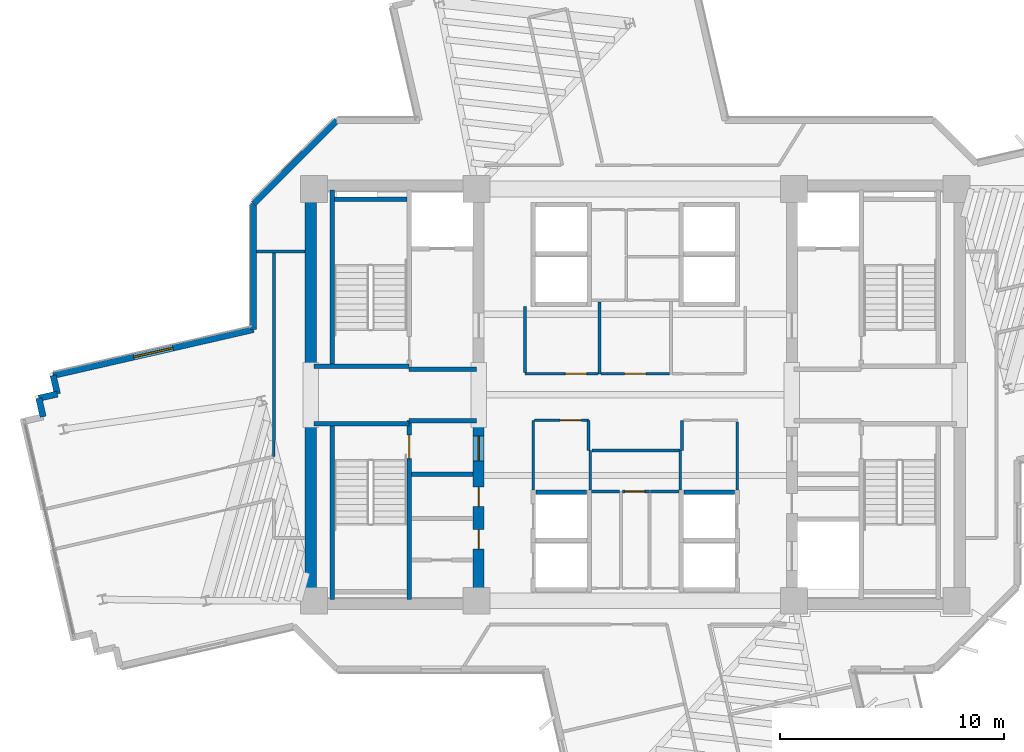
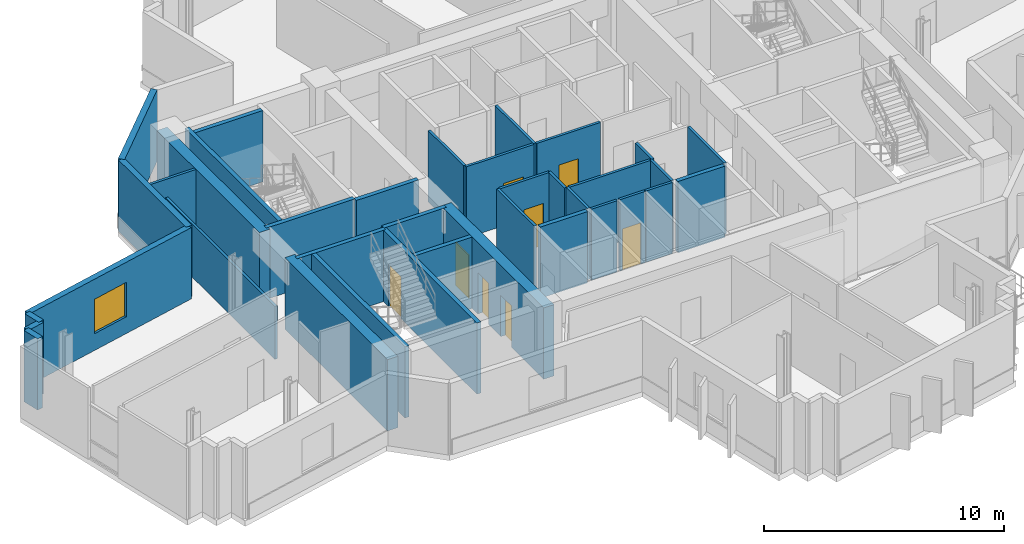
# One storey, part 7 of 13: 37 walls, 8 doors, 1 window, 9 openings.
"""IFC4 building model written with IfcOpenShell, lengths in metres."""

from ifc_helpers import new_model, si_unit, direction, frame, frame_2d, origin, place, context, subcontext, project, spatial, rectangle, extrude, source, transform, mapped, material, layer, layer_set, type_object, element, fill, save


model = new_model("IFC4")

# Units and contexts
model_context = context("Model", 3, precision=1e-05, world=origin(), true_north=direction((0.0, 1.0)))
body_context = subcontext(model_context, "Body", "Model", "MODEL_VIEW")
ifc_project = project(units=[si_unit("LENGTHUNIT", "METRE"), si_unit("AREAUNIT", "SQUARE_METRE"), si_unit("VOLUMEUNIT", "CUBIC_METRE"), si_unit("PLANEANGLEUNIT", "RADIAN"), si_unit("MASSUNIT", "GRAM", prefix="KILO")], contexts=[model_context])

# Site, building, storey
site_placement = place(None, origin())
site = spatial("IfcSite", under=ifc_project, at=site_placement, CompositionType="ELEMENT")
building_placement = place(site_placement, origin())
building = spatial("IfcBuilding", under=site, at=building_placement, Name="Zahravan Cultural Tower", CompositionType="ELEMENT")
storey_placement = place(building_placement, frame((0.0, 0.0, 178.5)))
storey = spatial("IfcBuildingStorey", under=building, at=storey_placement, Name="L41", CompositionType="ELEMENT", Elevation=178.5)

# Wall, openings, doors
ifc_material_1 = material(Name="Concrete C60/75", Category="concrete")
ifc_layer_1 = layer(ifc_material_1, 0.5)
ifc_layer_set_1 = layer_set([ifc_layer_1], Name="Concrete C60/75")
wall_type_1 = type_object("IfcWallType", Name="CW-SHEAR-500-C60", PredefinedType="SHEAR", material=ifc_layer_set_1)
wall_1_placement = place(storey_placement, frame((29.0, 17.39990234375, 0.0), z_axis=(0.0, 0.0, 1.0), x_axis=(0.0, 1.0, 0.0)))
wall_1 = element("IfcWall", 1, at=wall_1_placement, inside=storey, type_object=wall_type_1, Name="L41 Core Shear Wall CW-W-ES-L41", PredefinedType="SHEAR", context=body_context, shape_type="SweptSolid", body=[
    extrude(rectangle(XDim=8.550048828125, YDim=0.5, at=frame_2d((4.27490234375, 0.0))), origin(), (0.0, 0.0, 1.0), 3.6201171875),
])
opening_1_placement = place(wall_1_placement, frame((6.64990234375, 0.0, 0.0)))
opening_1 = element("IfcOpeningElement", 2, at=opening_1_placement, cuts=wall_1, Name="Opening D-L41-07", PredefinedType="OPENING", context=body_context, shape_type="SweptSolid", body=[
    extrude(rectangle(XDim=1.10009765625, YDim=2.199951171875, at=frame_2d((0.550048828125, 1.10009765625))), frame((0.0, 0.260009765625, 0.0), z_axis=(0.0, -1.0, 0.0), x_axis=(1.0, 0.0, 0.0)), (0.0, 0.0, 1.0), 0.52001953125),
])
opening_2_placement = place(wall_1_placement, frame((2.699951171875, 0.0, 0.0)))
opening_2 = element("IfcOpeningElement", 3, at=opening_2_placement, cuts=wall_1, Name="Opening D-L41-10", PredefinedType="OPENING", context=body_context, shape_type="SweptSolid", body=[
    extrude(rectangle(XDim=0.8798828125, YDim=2.10009765625, at=frame_2d((0.43994140625, 1.050048828125))), frame((0.0, 0.260009765625, 0.0), z_axis=(0.0, -1.0, 0.0), x_axis=(1.0, 0.0, 0.0)), (0.0, 0.0, 1.0), 0.52001953125),
])
opening_3_placement = place(wall_1_placement, frame((4.60009765625, 0.0, 0.0)))
opening_3 = element("IfcOpeningElement", 4, at=opening_3_placement, cuts=wall_1, Name="Opening D-L41-11", PredefinedType="OPENING", context=body_context, shape_type="SweptSolid", body=[
    extrude(rectangle(XDim=0.8798828125, YDim=2.10009765625, at=frame_2d((0.43994140625, 1.050048828125))), frame((0.0, 0.260009765625, 0.0), z_axis=(0.0, -1.0, 0.0), x_axis=(1.0, 0.0, 0.0)), (0.0, 0.0, 1.0), 0.52001953125),
])
ifc_material_2 = material(Name="Steel ASTM A572 Grade 50", Category="steel")
door_type_1 = type_object("IfcDoorType", Name="DR-LOBBY-1100", OperationType="NOTDEFINED", PredefinedType="DOOR", material=ifc_material_2)
shared_shape_1 = source(origin(), body_context, "Body", "SweptSolid", [
    extrude(rectangle(XDim=1.10009765625, YDim=2.199951171875, at=frame_2d((0.550048828125, 1.10009765625))), frame((0.0, 0.02490234375, 0.0), z_axis=(0.0, -1.0, 0.0), x_axis=(1.0, 0.0, 0.0)), (0.0, 0.0, 1.0), 0.050048828125),
])
door_1_placement = place(opening_1_placement, origin())
door_1 = element("IfcDoor", 5, at=door_1_placement, inside=storey, type_object=door_type_1, Name="L41 Door D-L41-07", OperationType="SINGLE_SWING_LEFT", OverallHeight=2.199951171875, OverallWidth=1.10009765625, PredefinedType="DOOR", context=body_context, shape_type="MappedRepresentation", body=[
    mapped(shared_shape_1, transform((0.0, 0.0, 0.0), x_axis=(1.0, 0.0, 0.0), y_axis=(0.0, 1.0, 0.0), z_axis=(0.0, 0.0, 1.0), scale=1.0)),
])
fill(opening_1, door_1)
door_type_2 = type_object("IfcDoorType", Name="DR-SVC-880", OperationType="NOTDEFINED", PredefinedType="DOOR", material=ifc_material_2)
shared_shape_2 = source(origin(), body_context, "Body", "SweptSolid", [
    extrude(rectangle(XDim=0.8798828125, YDim=2.10009765625, at=frame_2d((0.43994140625, 1.050048828125))), frame((0.0, 0.02490234375, 0.0), z_axis=(0.0, -1.0, 0.0), x_axis=(1.0, 0.0, 0.0)), (0.0, 0.0, 1.0), 0.050048828125),
])
door_2_placement = place(opening_2_placement, origin())
door_2 = element("IfcDoor", 6, at=door_2_placement, inside=storey, type_object=door_type_2, Name="L41 Door D-L41-10", OperationType="SINGLE_SWING_RIGHT", OverallHeight=2.10009765625, OverallWidth=0.8798828125, PredefinedType="DOOR", context=body_context, shape_type="MappedRepresentation", body=[
    mapped(shared_shape_2, transform((0.0, 0.0, 0.0), x_axis=(1.0, 0.0, 0.0), y_axis=(0.0, 1.0, 0.0), z_axis=(0.0, 0.0, 1.0), scale=1.0)),
])
fill(opening_2, door_2)
door_3_placement = place(opening_3_placement, origin())
door_3 = element("IfcDoor", 7, at=door_3_placement, inside=storey, type_object=door_type_2, Name="L41 Door D-L41-11", OperationType="SINGLE_SWING_LEFT", OverallHeight=2.10009765625, OverallWidth=0.8798828125, PredefinedType="DOOR", context=body_context, shape_type="MappedRepresentation", body=[
    mapped(shared_shape_2, transform((0.0, 0.0, 0.0), x_axis=(1.0, 0.0, 0.0), y_axis=(0.0, 1.0, 0.0), z_axis=(0.0, 0.0, 1.0), scale=1.0)),
])
fill(opening_3, door_3)

# Wall, opening, window
ifc_material_3 = material(Name="Precast concrete C40/50", Category="concrete")
ifc_layer_2 = layer(ifc_material_3, 0.280029296875)
ifc_layer_set_2 = layer_set([ifc_layer_2], Name="Precast concrete C40/50")
wall_type_2 = type_object("IfcWallType", Name="EW-TC-280", PredefinedType="SOLIDWALL", material=ifc_layer_set_2)
wall_2_placement = place(storey_placement, frame((9.98779296875, 27.86572265625, 0.0), z_axis=(0.0, 0.0, 1.0), x_axis=(0.974680686557, 0.223601340005, 0.0)))
wall_2 = element("IfcWall", 8, at=wall_2_placement, inside=storey, type_object=wall_type_2, Name="L41 Exterior Masonry Frame Wall 36", PredefinedType="SOLIDWALL", context=body_context, shape_type="SweptSolid", body=[
    extrude(rectangle(XDim=9.184814453125, YDim=0.280029296875, at=frame_2d((4.59228515625, 0.0))), origin(), (0.0, 0.0, 1.0), 3.6201171875),
])
opening_4_placement = place(wall_2_placement, frame((3.69189453125, 0.0, 0.85009765625)))
opening_4 = element("IfcOpeningElement", 9, at=opening_4_placement, cuts=wall_2, Name="Opening WN-02", PredefinedType="OPENING", context=body_context, shape_type="SweptSolid", body=[
    extrude(rectangle(XDim=1.800048828125, YDim=1.75, at=frame_2d((0.89990234375, 0.875))), frame((0.0, 0.14990234375, 0.0), z_axis=(0.0, -1.0, 0.0), x_axis=(1.0, 0.0, 0.0)), (0.0, 0.0, 1.0), 0.300048828125),
])
ifc_material_4 = material(Name="Low-E solar-control double glazing", Category="glass")
window_type = type_object("IfcWindowType", Name="WN-REC-1800X1750", PartitioningType="DOUBLE_PANEL_VERTICAL", PredefinedType="WINDOW", material=ifc_material_4)
shared_shape_3 = source(origin(), body_context, "Body", "SweptSolid", [
    extrude(rectangle(XDim=1.800048828125, YDim=1.75, at=frame_2d((0.89990234375, 0.875))), frame((0.0, 0.030029296875, 0.0), z_axis=(0.0, -1.0, 0.0), x_axis=(1.0, 0.0, 0.0)), (0.0, 0.0, 1.0), 0.06005859375),
])
window_placement = place(opening_4_placement, origin())
window = element("IfcWindow", 10, at=window_placement, inside=storey, type_object=window_type, Name="L41 Recessed Solar Window 08", OverallHeight=1.75, OverallWidth=1.800048828125, PartitioningType="DOUBLE_PANEL_VERTICAL", PredefinedType="WINDOW", context=body_context, shape_type="MappedRepresentation", body=[
    mapped(shared_shape_3, transform((0.0, 0.0, 0.0), x_axis=(1.0, 0.0, 0.0), y_axis=(0.0, 1.0, 0.0), z_axis=(0.0, 0.0, 1.0), scale=1.0)),
])
fill(opening_4, window)

# Wall, opening, door
ifc_material_5 = material(Name="Gypsum plasterboard partition")
ifc_layer_3 = layer(ifc_material_5, 0.125)
ifc_layer_set_3 = layer_set([ifc_layer_3], Name="Gypsum plasterboard partition")
wall_type_3 = type_object("IfcWallType", Name="W-PART-125", PredefinedType="PARTITIONING", material=ifc_layer_set_3)
wall_3_placement = place(storey_placement, frame((35.427490234375, 22.679931640625, 0.0), z_axis=(0.0, 0.0, 1.0), x_axis=(1.0, 0.0, 0.0)))
wall_3 = element("IfcWall", 11, at=wall_3_placement, inside=storey, type_object=wall_type_3, Name="L41 Interior Wall 063", PredefinedType="PARTITIONING", context=body_context, shape_type="SweptSolid", body=[
    extrude(rectangle(XDim=1.21240234375, YDim=0.125, at=frame_2d((0.606201171875, 0.0))), origin(), (0.0, 0.0, 1.0), 3.6201171875),
])
opening_5_placement = place(wall_3_placement, frame((0.116455078125, 0.0, 0.0)))
opening_5 = element("IfcOpeningElement", 12, at=opening_5_placement, cuts=wall_3, Name="Opening D-L41-32", PredefinedType="OPENING", context=body_context, shape_type="SweptSolid", body=[
    extrude(rectangle(XDim=0.8798828125, YDim=2.10009765625, at=frame_2d((0.43994140625, 1.050048828125))), frame((0.0, 0.072509765625, 0.0), z_axis=(0.0, -1.0, 0.0), x_axis=(1.0, 0.0, 0.0)), (0.0, 0.0, 1.0), 0.14501953125),
])
ifc_material_6 = material(Name="Anodised bronze-aluminium mullion", Category="aluminium")
door_type_3 = type_object("IfcDoorType", Name="DR-ROOM-880", OperationType="NOTDEFINED", PredefinedType="DOOR", material=ifc_material_6)
door_4_placement = place(opening_5_placement, origin())
door_4 = element("IfcDoor", 13, at=door_4_placement, inside=storey, type_object=door_type_3, Name="L41 Door D-L41-32", OperationType="SINGLE_SWING_RIGHT", OverallHeight=2.10009765625, OverallWidth=0.8798828125, PredefinedType="DOOR", context=body_context, shape_type="MappedRepresentation", body=[
    mapped(shared_shape_2, transform((0.0, 0.0, 0.0), x_axis=(1.0, 0.0, 0.0), y_axis=(0.0, 1.0, 0.0), z_axis=(0.0, 0.0, 1.0), scale=1.0)),
])
fill(opening_5, door_4)

wall_4_placement = place(storey_placement, frame((31.507568359375, 25.860107421875, 0.0), z_axis=(0.0, 0.0, 1.0), x_axis=(1.0, 0.0, 0.0)))
wall_4 = element("IfcWall", 14, at=wall_4_placement, inside=storey, type_object=wall_type_3, Name="L41 Interior Wall 076", PredefinedType="PARTITIONING", context=body_context, shape_type="SweptSolid", body=[
    extrude(rectangle(XDim=2.40234375, YDim=0.125, at=frame_2d((1.201171875, 0.0))), origin(), (0.0, 0.0, 1.0), 3.6201171875),
])
opening_6_placement = place(wall_4_placement, frame((1.1328125, 0.0, 0.0)))
opening_6 = element("IfcOpeningElement", 15, at=opening_6_placement, cuts=wall_4, Name="Opening D-L41-13", PredefinedType="OPENING", context=body_context, shape_type="SweptSolid", body=[
    extrude(rectangle(XDim=0.949951171875, YDim=2.14990234375, at=frame_2d((0.47509765625, 1.074951171875))), frame((0.0, 0.072509765625, 0.0), z_axis=(0.0, -1.0, 0.0), x_axis=(1.0, 0.0, 0.0)), (0.0, 0.0, 1.0), 0.14501953125),
])
door_type_4 = type_object("IfcDoorType", Name="DR-ROOM-950", OperationType="NOTDEFINED", PredefinedType="DOOR", material=ifc_material_6)
shared_shape_4 = source(origin(), body_context, "Body", "SweptSolid", [
    extrude(rectangle(XDim=0.949951171875, YDim=2.14990234375, at=frame_2d((0.47509765625, 1.074951171875))), frame((0.0, 0.02490234375, 0.0), z_axis=(0.0, -1.0, 0.0), x_axis=(1.0, 0.0, 0.0)), (0.0, 0.0, 1.0), 0.050048828125),
])
door_5_placement = place(opening_6_placement, origin())
door_5 = element("IfcDoor", 16, at=door_5_placement, inside=storey, type_object=door_type_4, Name="L41 Door D-L41-13", OperationType="SINGLE_SWING_LEFT", OverallHeight=2.14990234375, OverallWidth=0.949951171875, PredefinedType="DOOR", context=body_context, shape_type="MappedRepresentation", body=[
    mapped(shared_shape_4, transform((0.0, 0.0, 0.0), x_axis=(1.0, 0.0, 0.0), y_axis=(0.0, 1.0, 0.0), z_axis=(0.0, 0.0, 1.0), scale=1.0)),
])
fill(opening_6, door_5)

wall_5_placement = place(storey_placement, frame((37.532470703125, 27.93994140625, 0.0), z_axis=(0.0, 0.0, 1.0), x_axis=(-1.0, 0.0, 0.0)))
wall_5 = element("IfcWall", 17, at=wall_5_placement, inside=storey, type_object=wall_type_3, Name="L41 Interior Wall 083", PredefinedType="PARTITIONING", context=body_context, shape_type="SweptSolid", body=[
    extrude(rectangle(XDim=3.06494140625, YDim=0.125, at=frame_2d((1.532470703125, 0.0))), origin(), (0.0, 0.0, 1.0), 3.6201171875),
])
opening_7_placement = place(wall_5_placement, frame((1.0576171875, 0.0, 0.0)))
opening_7 = element("IfcOpeningElement", 18, at=opening_7_placement, cuts=wall_5, Name="Opening D-L41-18", PredefinedType="OPENING", context=body_context, shape_type="SweptSolid", body=[
    extrude(rectangle(XDim=0.949951171875, YDim=2.14990234375, at=frame_2d((0.47509765625, 1.074951171875))), frame((0.0, 0.072509765625, 0.0), z_axis=(0.0, -1.0, 0.0), x_axis=(1.0, 0.0, 0.0)), (0.0, 0.0, 1.0), 0.14501953125),
])
door_6_placement = place(opening_7_placement, origin())
door_6 = element("IfcDoor", 19, at=door_6_placement, inside=storey, type_object=door_type_4, Name="L41 Door D-L41-18", OperationType="SINGLE_SWING_RIGHT", OverallHeight=2.14990234375, OverallWidth=0.949951171875, PredefinedType="DOOR", context=body_context, shape_type="MappedRepresentation", body=[
    mapped(shared_shape_4, transform((0.0, 0.0, 0.0), x_axis=(1.0, 0.0, 0.0), y_axis=(0.0, 1.0, 0.0), z_axis=(0.0, 0.0, 1.0), scale=1.0)),
])
fill(opening_7, door_6)

wall_6_placement = place(storey_placement, frame((34.33251953125, 27.93994140625, 0.0), z_axis=(0.0, 0.0, 1.0), x_axis=(-1.0, 0.0, 0.0)))
wall_6 = element("IfcWall", 20, at=wall_6_placement, inside=storey, type_object=wall_type_3, Name="L41 Interior Wall 084", PredefinedType="PARTITIONING", context=body_context, shape_type="SweptSolid", body=[
    extrude(rectangle(XDim=3.25244140625, YDim=0.125, at=frame_2d((1.626220703125, 0.0))), origin(), (0.0, 0.0, 1.0), 3.6201171875),
])
opening_8_placement = place(wall_6_placement, frame((0.506591796875, 0.0, 0.0)))
opening_8 = element("IfcOpeningElement", 21, at=opening_8_placement, cuts=wall_6, Name="Opening D-L41-17", PredefinedType="OPENING", context=body_context, shape_type="SweptSolid", body=[
    extrude(rectangle(XDim=0.949951171875, YDim=2.14990234375, at=frame_2d((0.47509765625, 1.074951171875))), frame((0.0, 0.072509765625, 0.0), z_axis=(0.0, -1.0, 0.0), x_axis=(1.0, 0.0, 0.0)), (0.0, 0.0, 1.0), 0.14501953125),
])
door_7_placement = place(opening_8_placement, origin())
door_7 = element("IfcDoor", 22, at=door_7_placement, inside=storey, type_object=door_type_4, Name="L41 Door D-L41-17", OperationType="SINGLE_SWING_LEFT", OverallHeight=2.14990234375, OverallWidth=0.949951171875, PredefinedType="DOOR", context=body_context, shape_type="MappedRepresentation", body=[
    mapped(shared_shape_4, transform((0.0, 0.0, 0.0), x_axis=(1.0, 0.0, 0.0), y_axis=(0.0, 1.0, 0.0), z_axis=(0.0, 0.0, 1.0), scale=1.0)),
])
fill(opening_8, door_7)

ifc_material_7 = material(Name="Concrete C45/55", Category="concrete")
ifc_layer_4 = layer(ifc_material_7, 0.199951171875)
ifc_layer_set_4 = layer_set([ifc_layer_4], Name="Concrete C45/55")
wall_type_4 = type_object("IfcWallType", Name="W-SHAFT-200", PredefinedType="SOLIDWALL", material=ifc_layer_set_4)
wall_7_placement = place(storey_placement, frame((25.89990234375, 17.85009765625, 0.0), z_axis=(0.0, 0.0, 1.0), x_axis=(0.0, 1.0, 0.0)))
wall_7 = element("IfcWall", 23, at=wall_7_placement, inside=storey, type_object=wall_type_4, Name="L41 Interior Wall 005", PredefinedType="SOLIDWALL", context=body_context, shape_type="SweptSolid", body=[
    extrude(rectangle(XDim=8.0, YDim=0.199951171875, at=frame_2d((4.0, 0.0))), origin(), (0.0, 0.0, 1.0), 3.6201171875),
])
opening_9_placement = place(wall_7_placement, frame((6.300048828125, 0.0, 0.0)))
opening_9 = element("IfcOpeningElement", 24, at=opening_9_placement, cuts=wall_7, Name="Opening D-L41-04", PredefinedType="OPENING", context=body_context, shape_type="SweptSolid", body=[
    extrude(rectangle(XDim=1.050048828125, YDim=2.14990234375, at=frame_2d((0.52490234375, 1.074951171875))), frame((0.0, 0.10986328125, 0.0), z_axis=(0.0, -1.0, 0.0), x_axis=(1.0, 0.0, 0.0)), (0.0, 0.0, 1.0), 0.219970703125),
])
door_type_5 = type_object("IfcDoorType", Name="DR-STAIR-1050", OperationType="NOTDEFINED", PredefinedType="DOOR", material=ifc_material_2)
shared_shape_5 = source(origin(), body_context, "Body", "SweptSolid", [
    extrude(rectangle(XDim=1.050048828125, YDim=2.14990234375, at=frame_2d((0.52490234375, 1.074951171875))), frame((0.0, 0.02490234375, 0.0), z_axis=(0.0, -1.0, 0.0), x_axis=(1.0, 0.0, 0.0)), (0.0, 0.0, 1.0), 0.050048828125),
])
door_8_placement = place(opening_9_placement, origin())
door_8 = element("IfcDoor", 25, at=door_8_placement, inside=storey, type_object=door_type_5, Name="L41 Door D-L41-04", OperationType="SINGLE_SWING_RIGHT", OverallHeight=2.14990234375, OverallWidth=1.050048828125, PredefinedType="DOOR", context=body_context, shape_type="MappedRepresentation", body=[
    mapped(shared_shape_5, transform((0.0, 0.0, 0.0), x_axis=(1.0, 0.0, 0.0), y_axis=(0.0, 1.0, 0.0), z_axis=(0.0, 0.0, 1.0), scale=1.0)),
])
fill(opening_9, door_8)

# Walls
shared_shape_6 = source(origin(), body_context, "Body", "SweptSolid", [
    extrude(rectangle(XDim=8.550048828125, YDim=0.5, at=frame_2d((4.27490234375, 0.0))), origin(), (0.0, 0.0, 1.0), 3.6201171875),
])
for number, where, z_axis, x_axis, name in (
    (26, (21.5, 17.39990234375, 0.0), (0.0, 0.0, 1.0), (0.0, 1.0, 0.0), "L41 Core Shear Wall CW-W-WS-L41"),
    (27, (21.5, 28.050048828125, 0.0), (0.0, 0.0, 1.0), (0.0, 1.0, 0.0), "L41 Core Shear Wall CW-W-WN-L41"),
):
    element("IfcWall", number, at=place(storey_placement, frame(where, z_axis=z_axis, x_axis=x_axis)), inside=storey, type_object=wall_type_1, Name=name, PredefinedType="SHEAR", context=body_context, shape_type="MappedRepresentation", body=[
        mapped(shared_shape_6, transform((0.0, 0.0, 0.0), x_axis=(1.0, 0.0, 0.0), y_axis=(0.0, 1.0, 0.0), z_axis=(0.0, 0.0, 1.0), scale=1.0)),
    ])
shared_shape_7 = source(origin(), body_context, "Body", "SweptSolid", [
    extrude(rectangle(XDim=0.85009765625, YDim=0.280029296875, at=frame_2d((0.425048828125, 0.0))), origin(), (0.0, 0.0, 1.0), 3.6201171875),
])
wall_8_placement = place(storey_placement, frame((9.539306640625, 26.018798828125, 0.0), z_axis=(0.0, 0.0, 1.0), x_axis=(-0.22316012353, 0.974781800849, 0.0)))
element("IfcWall", 28, at=wall_8_placement, inside=storey, type_object=wall_type_2, Name="L41 Exterior Masonry Frame Wall 33", PredefinedType="SOLIDWALL", context=body_context, shape_type="MappedRepresentation", body=[
    mapped(shared_shape_7, transform((0.0, 0.0, 0.0), x_axis=(1.0, 0.0, 0.0), y_axis=(0.0, 1.0, 0.0), z_axis=(0.0, 0.0, 1.0), scale=1.0)),
])
shared_shape_8 = source(origin(), body_context, "Body", "SweptSolid", [
    extrude(rectangle(XDim=5.258056640625, YDim=0.280029296875, at=frame_2d((2.62890625, 0.0))), origin(), (0.0, 0.0, 1.0), 3.6201171875),
])
wall_9_placement = place(storey_placement, frame((18.93994140625, 35.5419921875, 0.0), z_axis=(0.0, 0.0, 1.0), x_axis=(0.707106781187, 0.707106781187, 0.0)))
element("IfcWall", 29, at=wall_9_placement, inside=storey, type_object=wall_type_2, Name="L41 Exterior Masonry Frame Wall 38", PredefinedType="SOLIDWALL", context=body_context, shape_type="MappedRepresentation", body=[
    mapped(shared_shape_8, transform((0.0, 0.0, 0.0), x_axis=(1.0, 0.0, 0.0), y_axis=(0.0, 1.0, 0.0), z_axis=(0.0, 0.0, 1.0), scale=1.0)),
])
shared_shape_9 = source(origin(), body_context, "Body", "SweptSolid", [
    extrude(rectangle(XDim=0.849853515625, YDim=0.280029296875, at=frame_2d((0.4248046875, 0.0))), origin(), (0.0, 0.0, 1.0), 3.6201171875),
])
for number, where, z_axis, x_axis, name in (
    (30, (9.349609375, 26.847412109375, 0.0), (0.0, 0.0, 1.0), (0.974704946586, 0.223495563939, 0.0), "L41 Exterior Masonry Frame Wall 34"),
    (31, (10.177978515625, 27.037353515625, 0.0), (0.0, 0.0, 1.0), (-0.223768457828, 0.974642333003, 0.0), "L41 Exterior Masonry Frame Wall 35"),
):
    element("IfcWall", number, at=place(storey_placement, frame(where, z_axis=z_axis, x_axis=x_axis)), inside=storey, type_object=wall_type_2, Name=name, PredefinedType="SOLIDWALL", context=body_context, shape_type="MappedRepresentation", body=[
        mapped(shared_shape_9, transform((0.0, 0.0, 0.0), x_axis=(1.0, 0.0, 0.0), y_axis=(0.0, 1.0, 0.0), z_axis=(0.0, 0.0, 1.0), scale=1.0)),
    ])
shared_shape_10 = source(origin(), body_context, "Body", "SweptSolid", [
    extrude(rectangle(XDim=5.62255859375, YDim=0.280029296875, at=frame_2d((2.811279296875, 0.0))), origin(), (0.0, 0.0, 1.0), 3.6201171875),
])
wall_10_placement = place(storey_placement, frame((18.93994140625, 29.91943359375, 0.0), z_axis=(0.0, 0.0, 1.0), x_axis=(0.0, 1.0, 0.0)))
element("IfcWall", 32, at=wall_10_placement, inside=storey, type_object=wall_type_2, Name="L41 Exterior Masonry Frame Wall 37", PredefinedType="SOLIDWALL", context=body_context, shape_type="MappedRepresentation", body=[
    mapped(shared_shape_10, transform((0.0, 0.0, 0.0), x_axis=(1.0, 0.0, 0.0), y_axis=(0.0, 1.0, 0.0), z_axis=(0.0, 0.0, 1.0), scale=1.0)),
])
shared_shape_11 = source(origin(), body_context, "Body", "SweptSolid", [
    extrude(rectangle(XDim=7.869873046875, YDim=0.199951171875, at=frame_2d((3.93505859375, 0.0))), origin(), (0.0, 0.0, 1.0), 3.6201171875),
])
for number, where, z_axis, x_axis, name in (
    (33, (22.449951171875, 17.85009765625, 0.0), (0.0, 0.0, 1.0), (0.0, 1.0, 0.0), "L41 Interior Wall 001"),
    (34, (22.449951171875, 28.280029296875, 0.0), (0.0, 0.0, 1.0), (0.0, 1.0, 0.0), "L41 Interior Wall 002"),
):
    element("IfcWall", number, at=place(storey_placement, frame(where, z_axis=z_axis, x_axis=x_axis)), inside=storey, type_object=wall_type_4, Name=name, PredefinedType="SOLIDWALL", context=body_context, shape_type="MappedRepresentation", body=[
        mapped(shared_shape_11, transform((0.0, 0.0, 0.0), x_axis=(1.0, 0.0, 0.0), y_axis=(0.0, 1.0, 0.0), z_axis=(0.0, 0.0, 1.0), scale=1.0)),
    ])
shared_shape_12 = source(origin(), body_context, "Body", "SweptSolid", [
    extrude(rectangle(XDim=4.25, YDim=0.199951171875, at=frame_2d((2.125, 0.0))), origin(), (0.0, 0.0, 1.0), 3.6201171875),
])
for number, where, z_axis, x_axis, name in (
    (35, (21.64990234375, 25.715087890625, 0.0), (0.0, 0.0, 1.0), (1.0, 0.0, 0.0), "L41 Interior Wall 009"),
    (36, (21.64990234375, 28.284912109375, 0.0), (0.0, 0.0, 1.0), (1.0, 0.0, 0.0), "L41 Interior Wall 011"),
):
    element("IfcWall", number, at=place(storey_placement, frame(where, z_axis=z_axis, x_axis=x_axis)), inside=storey, type_object=wall_type_4, Name=name, PredefinedType="SOLIDWALL", context=body_context, shape_type="MappedRepresentation", body=[
        mapped(shared_shape_12, transform((0.0, 0.0, 0.0), x_axis=(1.0, 0.0, 0.0), y_axis=(0.0, 1.0, 0.0), z_axis=(0.0, 0.0, 1.0), scale=1.0)),
    ])
shared_shape_13 = source(origin(), body_context, "Body", "SweptSolid", [
    extrude(rectangle(XDim=3.0, YDim=0.199951171875, at=frame_2d((1.5, 0.0))), origin(), (0.0, 0.0, 1.0), 3.6201171875),
])
for number, where, z_axis, x_axis, name in (
    (37, (25.89990234375, 25.85009765625, 0.0), (0.0, 0.0, 1.0), (1.0, 0.0, 0.0), "L41 Interior Wall 010"),
    (38, (25.89990234375, 28.14990234375, 0.0), (0.0, 0.0, 1.0), (1.0, 0.0, 0.0), "L41 Interior Wall 012"),
):
    element("IfcWall", number, at=place(storey_placement, frame(where, z_axis=z_axis, x_axis=x_axis)), inside=storey, type_object=wall_type_4, Name=name, PredefinedType="SOLIDWALL", context=body_context, shape_type="MappedRepresentation", body=[
        mapped(shared_shape_13, transform((0.0, 0.0, 0.0), x_axis=(1.0, 0.0, 0.0), y_axis=(0.0, 1.0, 0.0), z_axis=(0.0, 0.0, 1.0), scale=1.0)),
    ])
shared_shape_14 = source(origin(), body_context, "Body", "SweptSolid", [
    extrude(rectangle(XDim=3.25, YDim=0.199951171875, at=frame_2d((1.625, 0.0))), origin(), (0.0, 0.0, 1.0), 3.6201171875),
])
wall_11_placement = place(storey_placement, frame((22.550048828125, 35.75, 0.0), z_axis=(0.0, 0.0, 1.0), x_axis=(1.0, 0.0, 0.0)))
element("IfcWall", 39, at=wall_11_placement, inside=storey, type_object=wall_type_4, Name="L41 Interior Wall 017", PredefinedType="SOLIDWALL", context=body_context, shape_type="MappedRepresentation", body=[
    mapped(shared_shape_14, transform((0.0, 0.0, 0.0), x_axis=(1.0, 0.0, 0.0), y_axis=(0.0, 1.0, 0.0), z_axis=(0.0, 0.0, 1.0), scale=1.0)),
])
shared_shape_15 = source(origin(), body_context, "Body", "SweptSolid", [
    extrude(rectangle(XDim=2.75, YDim=0.199951171875, at=frame_2d((1.375, 0.0))), origin(), (0.0, 0.0, 1.0), 3.6201171875),
])
wall_12_placement = place(storey_placement, frame((26.0, 23.449951171875, 0.0), z_axis=(0.0, 0.0, 1.0), x_axis=(1.0, 0.0, 0.0)))
element("IfcWall", 40, at=wall_12_placement, inside=storey, type_object=wall_type_4, Name="L41 Interior Wall 023", PredefinedType="SOLIDWALL", context=body_context, shape_type="MappedRepresentation", body=[
    mapped(shared_shape_15, transform((0.0, 0.0, 0.0), x_axis=(1.0, 0.0, 0.0), y_axis=(0.0, 1.0, 0.0), z_axis=(0.0, 0.0, 1.0), scale=1.0)),
])
shared_shape_16 = source(origin(), body_context, "Body", "SweptSolid", [
    extrude(rectangle(XDim=2.260009765625, YDim=0.199951171875, at=frame_2d((1.1298828125, 0.0))), origin(), (0.0, 0.0, 1.0), 3.6201171875),
])
for number, where, z_axis, x_axis, name in (
    (41, (31.570068359375, 22.64990234375, 0.0), (0.0, 0.0, 1.0), (1.0, 0.0, 0.0), "L41 Interior Wall 046"),
    (42, (38.169921875, 22.64990234375, 0.0), (0.0, 0.0, 1.0), (1.0, 0.0, 0.0), "L41 Interior Wall 053"),
):
    element("IfcWall", number, at=place(storey_placement, frame(where, z_axis=z_axis, x_axis=x_axis)), inside=storey, type_object=wall_type_4, Name=name, PredefinedType="SOLIDWALL", context=body_context, shape_type="MappedRepresentation", body=[
        mapped(shared_shape_16, transform((0.0, 0.0, 0.0), x_axis=(1.0, 0.0, 0.0), y_axis=(0.0, 1.0, 0.0), z_axis=(0.0, 0.0, 1.0), scale=1.0)),
    ])
shared_shape_17 = source(origin(), body_context, "Body", "SweptSolid", [
    extrude(rectangle(XDim=3.110107421875, YDim=0.125, at=frame_2d((1.55517578125, 0.0))), origin(), (0.0, 0.0, 1.0), 3.6201171875),
])
wall_13_placement = place(storey_placement, frame((31.43994140625, 22.75, 0.0), z_axis=(0.0, 0.0, 1.0), x_axis=(0.0, 1.0, 0.0)))
element("IfcWall", 43, at=wall_13_placement, inside=storey, type_object=wall_type_3, Name="L41 Interior Wall 075", PredefinedType="PARTITIONING", context=body_context, shape_type="MappedRepresentation", body=[
    mapped(shared_shape_17, transform((0.0, 0.0, 0.0), x_axis=(1.0, 0.0, 0.0), y_axis=(0.0, 1.0, 0.0), z_axis=(0.0, 0.0, 1.0), scale=1.0)),
])
shared_shape_18 = source(origin(), body_context, "Body", "SweptSolid", [
    extrude(rectangle(XDim=3.04248046875, YDim=0.125, at=frame_2d((1.521240234375, 0.0))), origin(), (0.0, 0.0, 1.0), 3.6201171875),
])
wall_14_placement = place(storey_placement, frame((40.56005859375, 25.79248046875, 0.0), z_axis=(0.0, 0.0, 1.0), x_axis=(0.0, -1.0, 0.0)))
element("IfcWall", 44, at=wall_14_placement, inside=storey, type_object=wall_type_3, Name="L41 Interior Wall 080", PredefinedType="PARTITIONING", context=body_context, shape_type="MappedRepresentation", body=[
    mapped(shared_shape_18, transform((0.0, 0.0, 0.0), x_axis=(1.0, 0.0, 0.0), y_axis=(0.0, 1.0, 0.0), z_axis=(0.0, 0.0, 1.0), scale=1.0)),
])
shared_shape_19 = source(origin(), body_context, "Body", "SweptSolid", [
    extrude(rectangle(XDim=2.9423828125, YDim=0.125, at=frame_2d((1.47119140625, 0.0))), origin(), (0.0, 0.0, 1.0), 3.6201171875),
])
wall_15_placement = place(storey_placement, frame((31.080078125, 28.007568359375, 0.0), z_axis=(0.0, 0.0, 1.0), x_axis=(0.0, 1.0, 0.0)))
element("IfcWall", 45, at=wall_15_placement, inside=storey, type_object=wall_type_3, Name="L41 Interior Wall 085", PredefinedType="PARTITIONING", context=body_context, shape_type="MappedRepresentation", body=[
    mapped(shared_shape_19, transform((0.0, 0.0, 0.0), x_axis=(1.0, 0.0, 0.0), y_axis=(0.0, 1.0, 0.0), z_axis=(0.0, 0.0, 1.0), scale=1.0)),
])
shared_shape_20 = source(origin(), body_context, "Body", "SweptSolid", [
    extrude(rectangle(XDim=1.237548828125, YDim=0.125, at=frame_2d((0.61865234375, 0.0))), origin(), (0.0, 0.0, 1.0), 3.6201171875),
])
wall_16_placement = place(storey_placement, frame((34.054931640625, 22.679931640625, 0.0), z_axis=(0.0, 0.0, 1.0), x_axis=(1.0, 0.0, 0.0)))
element("IfcWall", 46, at=wall_16_placement, inside=storey, type_object=wall_type_3, Name="L41 Interior Wall 066", PredefinedType="PARTITIONING", context=body_context, shape_type="MappedRepresentation", body=[
    mapped(shared_shape_20, transform((0.0, 0.0, 0.0), x_axis=(1.0, 0.0, 0.0), y_axis=(0.0, 1.0, 0.0), z_axis=(0.0, 0.0, 1.0), scale=1.0)),
])
shared_shape_21 = source(origin(), body_context, "Body", "SweptSolid", [
    extrude(rectangle(XDim=1.26513671875, YDim=0.125, at=frame_2d((0.632568359375, 0.0))), origin(), (0.0, 0.0, 1.0), 3.6201171875),
])
wall_17_placement = place(storey_placement, frame((36.679931640625, 22.679931640625, 0.0), z_axis=(0.0, 0.0, 1.0), x_axis=(1.0, 0.0, 0.0)))
element("IfcWall", 47, at=wall_17_placement, inside=storey, type_object=wall_type_3, Name="L41 Interior Wall 068", PredefinedType="PARTITIONING", context=body_context, shape_type="MappedRepresentation", body=[
    mapped(shared_shape_21, transform((0.0, 0.0, 0.0), x_axis=(1.0, 0.0, 0.0), y_axis=(0.0, 1.0, 0.0), z_axis=(0.0, 0.0, 1.0), scale=1.0)),
])
shared_shape_22 = source(origin(), body_context, "Body", "SweptSolid", [
    extrude(rectangle(XDim=1.760009765625, YDim=0.125, at=frame_2d((0.8798828125, 0.0))), origin(), (0.0, 0.0, 1.0), 3.6201171875),
])
for number, where, z_axis, x_axis, name in (
    (48, (33.989990234375, 22.75, 0.0), (0.0, 0.0, 1.0), (0.0, 1.0, 0.0), "L41 Interior Wall 072"),
    (49, (38.010009765625, 24.510009765625, 0.0), (0.0, 0.0, 1.0), (0.0, -1.0, 0.0), "L41 Interior Wall 074"),
):
    element("IfcWall", number, at=place(storey_placement, frame(where, z_axis=z_axis, x_axis=x_axis)), inside=storey, type_object=wall_type_3, Name=name, PredefinedType="PARTITIONING", context=body_context, shape_type="MappedRepresentation", body=[
        mapped(shared_shape_22, transform((0.0, 0.0, 0.0), x_axis=(1.0, 0.0, 0.0), y_axis=(0.0, 1.0, 0.0), z_axis=(0.0, 0.0, 1.0), scale=1.0)),
    ])
shared_shape_23 = source(origin(), body_context, "Body", "SweptSolid", [
    extrude(rectangle(XDim=3.952392578125, YDim=0.125, at=frame_2d((1.97607421875, 0.0))), origin(), (0.0, 0.0, 1.0), 3.6201171875),
])
wall_18_placement = place(storey_placement, frame((34.0576171875, 24.510009765625, 0.0), z_axis=(0.0, 0.0, 1.0), x_axis=(1.0, 0.0, 0.0)))
element("IfcWall", 50, at=wall_18_placement, inside=storey, type_object=wall_type_3, Name="L41 Interior Wall 073", PredefinedType="PARTITIONING", context=body_context, shape_type="MappedRepresentation", body=[
    mapped(shared_shape_23, transform((0.0, 0.0, 0.0), x_axis=(1.0, 0.0, 0.0), y_axis=(0.0, 1.0, 0.0), z_axis=(0.0, 0.0, 1.0), scale=1.0)),
])
shared_shape_24 = source(origin(), body_context, "Body", "SweptSolid", [
    extrude(rectangle(XDim=1.35009765625, YDim=0.125, at=frame_2d((0.675048828125, 0.0))), origin(), (0.0, 0.0, 1.0), 3.6201171875),
])
for number, where, z_axis, x_axis, name in (
    (51, (33.909912109375, 25.860107421875, 0.0), (0.0, 0.0, 1.0), (0.0, -1.0, 0.0), "L41 Interior Wall 077"),
    (52, (38.090087890625, 24.510009765625, 0.0), (0.0, 0.0, 1.0), (0.0, 1.0, 0.0), "L41 Interior Wall 078"),
):
    element("IfcWall", number, at=place(storey_placement, frame(where, z_axis=z_axis, x_axis=x_axis)), inside=storey, type_object=wall_type_3, Name=name, PredefinedType="PARTITIONING", context=body_context, shape_type="MappedRepresentation", body=[
        mapped(shared_shape_24, transform((0.0, 0.0, 0.0), x_axis=(1.0, 0.0, 0.0), y_axis=(0.0, 1.0, 0.0), z_axis=(0.0, 0.0, 1.0), scale=1.0)),
    ])
shared_shape_25 = source(origin(), body_context, "Body", "SweptSolid", [
    extrude(rectangle(XDim=3.199951171875, YDim=0.125, at=frame_2d((1.60009765625, 0.0))), origin(), (0.0, 0.0, 1.0), 3.6201171875),
])
wall_19_placement = place(storey_placement, frame((34.39990234375, 27.93994140625, 0.0), z_axis=(0.0, 0.0, 1.0), x_axis=(0.0, 1.0, 0.0)))
element("IfcWall", 53, at=wall_19_placement, inside=storey, type_object=wall_type_3, Name="L41 Interior Wall 081", PredefinedType="PARTITIONING", context=body_context, shape_type="MappedRepresentation", body=[
    mapped(shared_shape_25, transform((0.0, 0.0, 0.0), x_axis=(1.0, 0.0, 0.0), y_axis=(0.0, 1.0, 0.0), z_axis=(0.0, 0.0, 1.0), scale=1.0)),
])
shared_shape_26 = source(origin(), body_context, "Body", "SweptSolid", [
    extrude(rectangle(XDim=2.1650390625, YDim=0.125, at=frame_2d((1.08251953125, 0.0))), origin(), (0.0, 0.0, 1.0), 3.6201171875),
])
wall_20_placement = place(storey_placement, frame((21.2451171875, 33.39990234375, 0.0), z_axis=(0.0, 0.0, 1.0), x_axis=(-0.999999942778, -0.000338294974, 0.0)))
element("IfcWall", 54, at=wall_20_placement, inside=storey, type_object=wall_type_3, Name="L41 Interior Wall 100", PredefinedType="PARTITIONING", context=body_context, shape_type="MappedRepresentation", body=[
    mapped(shared_shape_26, transform((0.0, 0.0, 0.0), x_axis=(1.0, 0.0, 0.0), y_axis=(0.0, 1.0, 0.0), z_axis=(0.0, 0.0, 1.0), scale=1.0)),
])
shared_shape_27 = source(origin(), body_context, "Body", "SweptSolid", [
    extrude(rectangle(XDim=9.160400390625, YDim=0.125, at=frame_2d((4.580078125, 0.0))), origin(), (0.0, 0.0, 1.0), 2.693115234375),
])
wall_21_placement = place(storey_placement, frame((19.853759765625, 33.3994140625, 0.0), z_axis=(0.0, 0.0, 1.0), x_axis=(-0.000399776093, -0.99999992009, 0.0)))
element("IfcWall", 55, at=wall_21_placement, inside=storey, type_object=wall_type_3, Name="L41 Interior Wall 097", PredefinedType="PARTITIONING", context=body_context, shape_type="MappedRepresentation", body=[
    mapped(shared_shape_27, transform((0.0, 0.0, 0.0), x_axis=(1.0, 0.0, 0.0), y_axis=(0.0, 1.0, 0.0), z_axis=(0.0, 0.0, 1.0), scale=1.0)),
])

save(model, "model.ifc")
